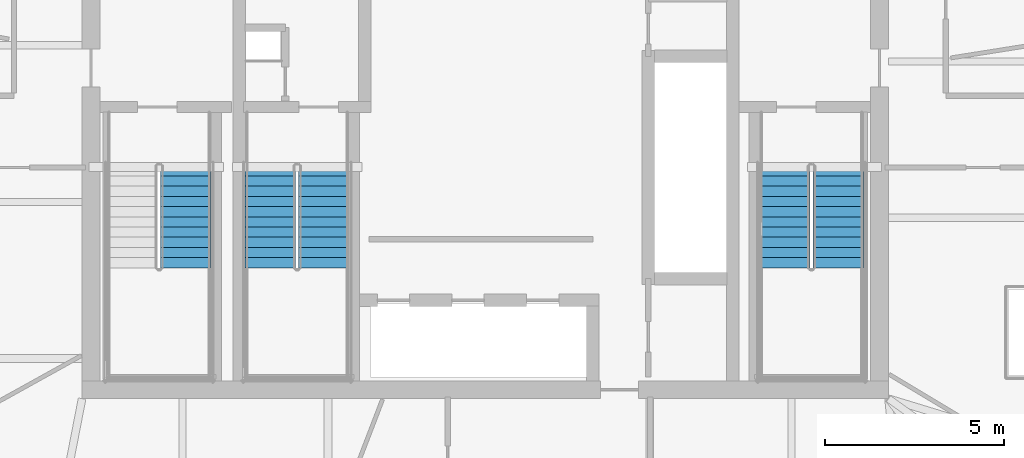
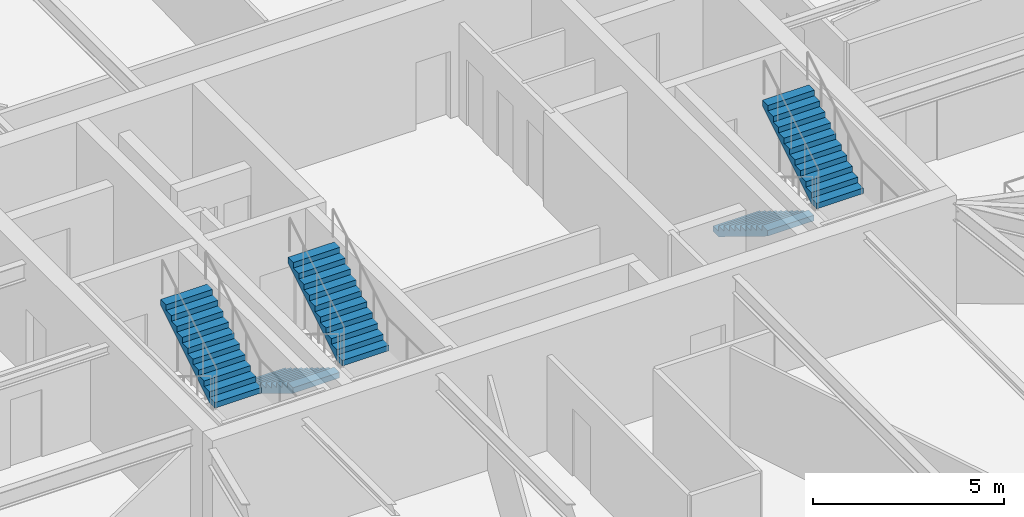
# One storey, part 18 of 21: 5 stair flights, 3 elements without a shape of their own.
"""IFC4 building model written with IfcOpenShell, lengths in metres."""

from ifc_helpers import new_model, si_unit, direction, frame, origin, place, context, subcontext, project, spatial, polyline, outline, extrude, material, type_object, element, aggregate, save


model = new_model("IFC4")

# Units and contexts
model_context = context("Model", 3, precision=1e-05, world=origin(), true_north=direction((0.0, 1.0)))
body_context = subcontext(model_context, "Body", "Model", "MODEL_VIEW")
ifc_project = project(units=[si_unit("LENGTHUNIT", "METRE"), si_unit("AREAUNIT", "SQUARE_METRE"), si_unit("VOLUMEUNIT", "CUBIC_METRE"), si_unit("PLANEANGLEUNIT", "RADIAN"), si_unit("MASSUNIT", "GRAM", prefix="KILO")], contexts=[model_context])

# Site, building, storey
site_placement = place(None, origin())
site = spatial("IfcSite", under=ifc_project, at=site_placement, CompositionType="ELEMENT")
building_placement = place(site_placement, origin())
building = spatial("IfcBuilding", under=site, at=building_placement, Name="Bramvorn Convention Spire", CompositionType="ELEMENT")
storey_placement = place(building_placement, frame((0.0, 0.0, 186.60009765625)))
storey = spatial("IfcBuildingStorey", under=building, at=storey_placement, Name="L47", CompositionType="ELEMENT", Elevation=186.60009765625)

# Stair, stair flight
ifc_material_1 = material(Name="Concrete C40/50 Precast Stair", Category="concrete")
stair_type = type_object("IfcStairType", Name="ST-TOWER-1550", PredefinedType="HALF_TURN_STAIR", material=ifc_material_1)
stair_1_placement = place(storey_placement, origin())
stair_1 = element("IfcStair", 1, at=stair_1_placement, inside=storey, type_object=stair_type, Name="L47 Protected Exit Stair ST1", PredefinedType="HALF_TURN_STAIR")
ifc_material_2 = material(Name="Concrete C40/50 Precast Stair Flight", Category="concrete")
stair_flight_type = type_object("IfcStairFlightType", Name="STF-TOWER-1550", PredefinedType="STRAIGHT", material=ifc_material_2)
stair_flight_1_placement = place(storey_placement, frame((29.64501953125, 22.199951171875, 1.9248046875), z_axis=(0.0, 0.0, 1.0), x_axis=(0.0, 1.0, 0.0)))
stair_flight_1 = element("IfcStairFlight", 2, at=stair_flight_1_placement, type_object=stair_flight_type, Name="ST1 flight 2", NumberOfRisers=11, NumberOfTreads=10, PredefinedType="STRAIGHT", RiserHeight=0.175, TreadLength=0.285, context=body_context, shape_type="SweptSolid", body=[
    extrude(outline(polyline([(0.0, 0.0), (0.0, 0.175048828125), (0.284912109375, 0.175048828125), (0.284912109375, 0.35009765625), (0.570068359375, 0.35009765625), (0.570068359375, 0.52490234375), (0.85498046875, 0.52490234375), (0.85498046875, 0.699951171875), (1.139892578125, 0.699951171875), (1.139892578125, 0.875), (1.425048828125, 0.875), (1.425048828125, 1.050048828125), (1.7099609375, 1.050048828125), (1.7099609375, 1.22509765625), (1.9951171875, 1.22509765625), (1.9951171875, 1.39990234375), (2.280029296875, 1.39990234375), (2.280029296875, 1.574951171875), (2.56494140625, 1.574951171875), (2.56494140625, 1.75), (2.85009765625, 1.75), (2.85009765625, 1.925048828125), (2.85009765625, 1.573974609375), (0.286376953125, 0.0), (0.0, 0.0)])), frame((0.0, 0.705078125, 0.0), z_axis=(0.0, -1.0, 0.0), x_axis=(1.0, 0.0, 0.0)), (0.0, 0.0, 1.0), 1.409912109375),
])
aggregate(stair_1, [stair_flight_1])

# Stair, stair flights
stair_2_placement = place(storey_placement, origin())
stair_2 = element("IfcStair", 3, at=stair_2_placement, inside=storey, type_object=stair_type, Name="L47 Protected Exit Stair ST2", PredefinedType="HALF_TURN_STAIR")
stair_flight_2_placement = place(storey_placement, frame((46.35498046875, 25.050048828125, 0.0), z_axis=(0.0, 0.0, 1.0), x_axis=(0.0, -1.0, 0.0)))
stair_flight_2 = element("IfcStairFlight", 4, at=stair_flight_2_placement, type_object=stair_flight_type, Name="ST2 flight 1", NumberOfRisers=11, NumberOfTreads=10, PredefinedType="STRAIGHT", RiserHeight=0.175, TreadLength=0.285, context=body_context, shape_type="SweptSolid", body=[
    extrude(outline(polyline([(0.0, 0.0), (0.0, 0.175048828125), (0.284912109375, 0.175048828125), (0.284912109375, 0.35009765625), (0.570068359375, 0.35009765625), (0.570068359375, 0.52490234375), (0.85498046875, 0.52490234375), (0.85498046875, 0.699951171875), (1.139892578125, 0.699951171875), (1.139892578125, 0.875), (1.425048828125, 0.875), (1.425048828125, 1.050048828125), (1.7099609375, 1.050048828125), (1.7099609375, 1.22509765625), (1.9951171875, 1.22509765625), (1.9951171875, 1.39990234375), (2.280029296875, 1.39990234375), (2.280029296875, 1.574951171875), (2.56494140625, 1.574951171875), (2.56494140625, 1.75), (2.85009765625, 1.75), (2.85009765625, 1.925048828125), (2.85009765625, 1.573974609375), (0.286376953125, 0.0), (0.0, 0.0)])), frame((0.0, 0.705078125, 0.0), z_axis=(0.0, -1.0, 0.0), x_axis=(1.0, 0.0, 0.0)), (0.0, 0.0, 1.0), 1.409912109375),
])
stair_flight_3_placement = place(storey_placement, frame((47.844970703125, 22.199951171875, 1.9248046875), z_axis=(0.0, 0.0, 1.0), x_axis=(0.0, 1.0, 0.0)))
stair_flight_3 = element("IfcStairFlight", 5, at=stair_flight_3_placement, type_object=stair_flight_type, Name="ST2 flight 2", NumberOfRisers=11, NumberOfTreads=10, PredefinedType="STRAIGHT", RiserHeight=0.175, TreadLength=0.285, context=body_context, shape_type="SweptSolid", body=[
    extrude(outline(polyline([(0.0, 0.0), (0.0, 0.175048828125), (0.284912109375, 0.175048828125), (0.284912109375, 0.35009765625), (0.570068359375, 0.35009765625), (0.570068359375, 0.52490234375), (0.85498046875, 0.52490234375), (0.85498046875, 0.699951171875), (1.139892578125, 0.699951171875), (1.139892578125, 0.875), (1.425048828125, 0.875), (1.425048828125, 1.050048828125), (1.7099609375, 1.050048828125), (1.7099609375, 1.22509765625), (1.9951171875, 1.22509765625), (1.9951171875, 1.39990234375), (2.280029296875, 1.39990234375), (2.280029296875, 1.574951171875), (2.56494140625, 1.574951171875), (2.56494140625, 1.75), (2.85009765625, 1.75), (2.85009765625, 1.925048828125), (2.85009765625, 1.573974609375), (0.286376953125, 0.0), (0.0, 0.0)])), frame((0.0, 0.705078125, 0.0), z_axis=(0.0, -1.0, 0.0), x_axis=(1.0, 0.0, 0.0)), (0.0, 0.0, 1.0), 1.409912109375),
])
aggregate(stair_2, [stair_flight_2, stair_flight_3])

stair_3_placement = place(storey_placement, origin())
stair_3 = element("IfcStair", 6, at=stair_3_placement, inside=storey, type_object=stair_type, Name="L47 Protected Exit Stair ST3", PredefinedType="HALF_TURN_STAIR")
stair_flight_4_placement = place(storey_placement, frame((32.0048828125, 25.050048828125, 0.0), z_axis=(0.0, 0.0, 1.0), x_axis=(0.0, -1.0, 0.0)))
stair_flight_4 = element("IfcStairFlight", 7, at=stair_flight_4_placement, type_object=stair_flight_type, Name="ST3 flight 1", NumberOfRisers=11, NumberOfTreads=10, PredefinedType="STRAIGHT", RiserHeight=0.175, TreadLength=0.285, context=body_context, shape_type="SweptSolid", body=[
    extrude(outline(polyline([(0.0, 0.0), (0.0, 0.175048828125), (0.284912109375, 0.175048828125), (0.284912109375, 0.35009765625), (0.570068359375, 0.35009765625), (0.570068359375, 0.52490234375), (0.85498046875, 0.52490234375), (0.85498046875, 0.699951171875), (1.139892578125, 0.699951171875), (1.139892578125, 0.875), (1.425048828125, 0.875), (1.425048828125, 1.050048828125), (1.7099609375, 1.050048828125), (1.7099609375, 1.22509765625), (1.9951171875, 1.22509765625), (1.9951171875, 1.39990234375), (2.280029296875, 1.39990234375), (2.280029296875, 1.574951171875), (2.56494140625, 1.574951171875), (2.56494140625, 1.75), (2.85009765625, 1.75), (2.85009765625, 1.925048828125), (2.85009765625, 1.573974609375), (0.286376953125, 0.0), (0.0, 0.0)])), frame((0.0, 0.705078125, 0.0), z_axis=(0.0, -1.0, 0.0), x_axis=(1.0, 0.0, 0.0)), (0.0, 0.0, 1.0), 1.409912109375),
])
stair_flight_5_placement = place(storey_placement, frame((33.4951171875, 22.199951171875, 1.9248046875), z_axis=(0.0, 0.0, 1.0), x_axis=(0.0, 1.0, 0.0)))
stair_flight_5 = element("IfcStairFlight", 8, at=stair_flight_5_placement, type_object=stair_flight_type, Name="ST3 flight 2", NumberOfRisers=11, NumberOfTreads=10, PredefinedType="STRAIGHT", RiserHeight=0.175, TreadLength=0.285, context=body_context, shape_type="SweptSolid", body=[
    extrude(outline(polyline([(0.0, 0.0), (0.0, 0.175048828125), (0.284912109375, 0.175048828125), (0.284912109375, 0.35009765625), (0.570068359375, 0.35009765625), (0.570068359375, 0.52490234375), (0.85498046875, 0.52490234375), (0.85498046875, 0.699951171875), (1.139892578125, 0.699951171875), (1.139892578125, 0.875), (1.425048828125, 0.875), (1.425048828125, 1.050048828125), (1.7099609375, 1.050048828125), (1.7099609375, 1.22509765625), (1.9951171875, 1.22509765625), (1.9951171875, 1.39990234375), (2.280029296875, 1.39990234375), (2.280029296875, 1.574951171875), (2.56494140625, 1.574951171875), (2.56494140625, 1.75), (2.85009765625, 1.75), (2.85009765625, 1.925048828125), (2.85009765625, 1.573974609375), (0.286376953125, 0.0), (0.0, 0.0)])), frame((0.0, 0.705078125, 0.0), z_axis=(0.0, -1.0, 0.0), x_axis=(1.0, 0.0, 0.0)), (0.0, 0.0, 1.0), 1.409912109375),
])
aggregate(stair_3, [stair_flight_4, stair_flight_5])

save(model, "model.ifc")
